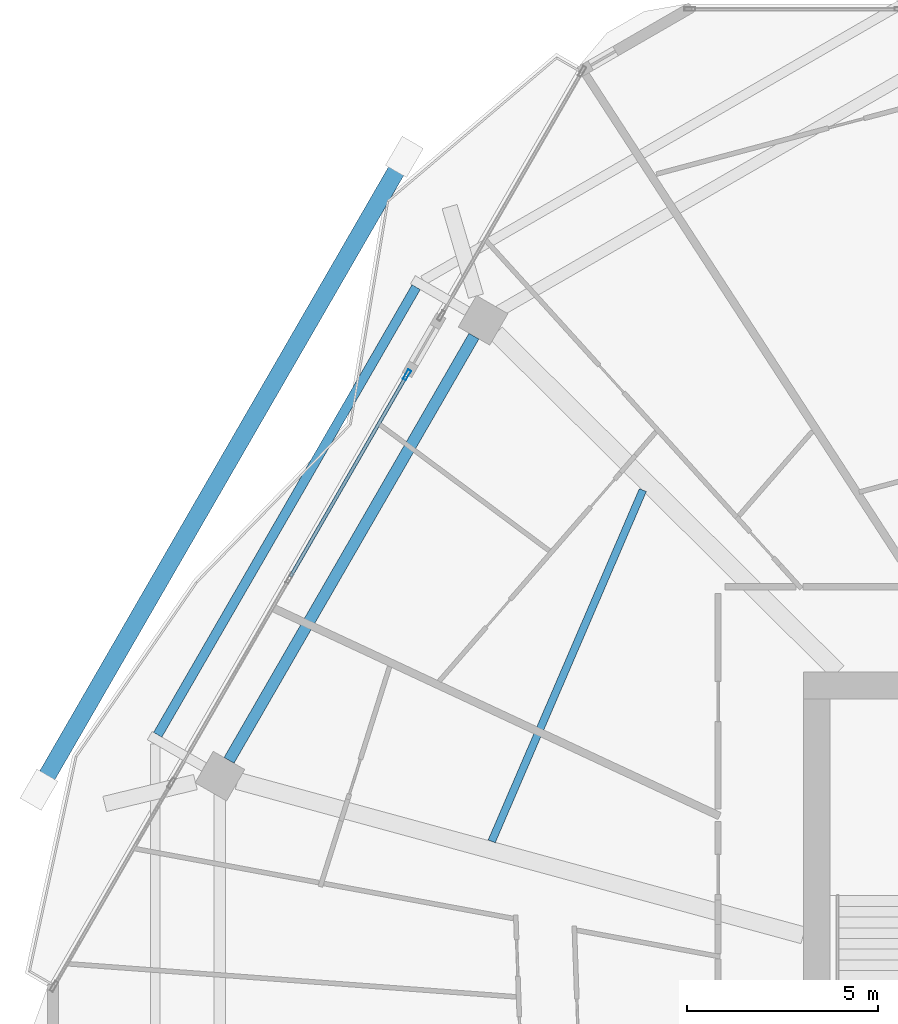
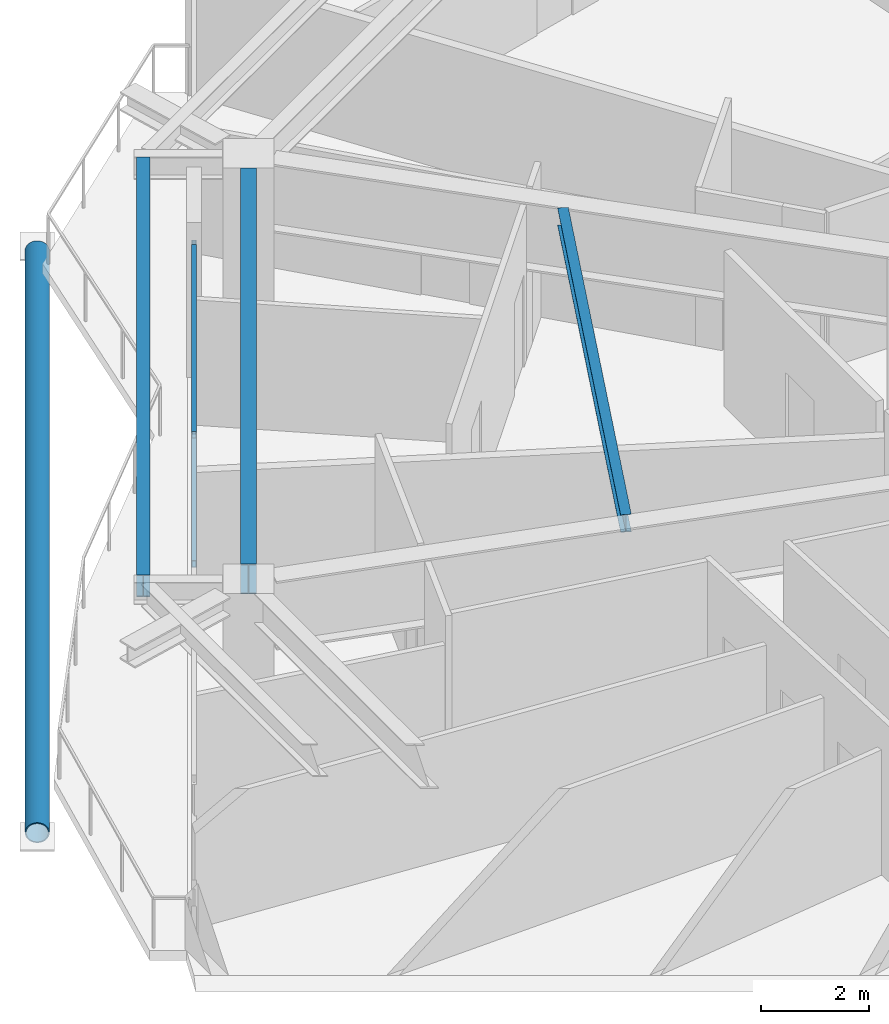
# One storey, part 13 of 28: 4 members, 3 beams, 1 element without a shape of its own.
"""IFC4 building model written with IfcOpenShell, lengths in metres."""

from ifc_helpers import new_model, si_unit, direction, frame, origin, origin_2d, place, context, subcontext, project, spatial, hollow_rectangle, hollow_circle, i_section, extrude, material, material_profile, profile_set, type_object, element, aggregate, save


model = new_model("IFC4")

# Units and contexts
model_context = context("Model", 3, precision=1e-05, world=origin(), true_north=direction((0.0, 1.0)))
body_context = subcontext(model_context, "Body", "Model", "MODEL_VIEW")
ifc_project = project(units=[si_unit("LENGTHUNIT", "METRE"), si_unit("AREAUNIT", "SQUARE_METRE"), si_unit("VOLUMEUNIT", "CUBIC_METRE"), si_unit("PLANEANGLEUNIT", "RADIAN"), si_unit("MASSUNIT", "GRAM", prefix="KILO")], contexts=[model_context])

# Site, building, storey
site_placement = place(None, origin())
site = spatial("IfcSite", under=ifc_project, at=site_placement, CompositionType="ELEMENT")
building_placement = place(site_placement, origin())
building = spatial("IfcBuilding", under=site, at=building_placement, Name="Zuhravey Tower", CompositionType="ELEMENT")
storey_placement = place(building_placement, frame((0.0, 0.0, 222.60009765625)))
storey = spatial("IfcBuildingStorey", under=building, at=storey_placement, Name="L56", CompositionType="ELEMENT", Elevation=222.60009765625)

# Curtain wall, members
ifc_material_1 = material(Name="Thermally broken anodised aluminium", Category="aluminium")
curtain_wall_type = type_object("IfcCurtainWallType", Name="Zone 1-2 Residential Curtain Wall CW3", PredefinedType="NOTDEFINED", material=ifc_material_1)
curtain_wall_placement = place(storey_placement, origin())
curtain_wall = element("IfcCurtainWall", 1, at=curtain_wall_placement, inside=storey, type_object=curtain_wall_type, Name="L56 CW3 CW-L56-F3-1", PredefinedType="NOTDEFINED")
ifc_material_2 = material(Name="Anodised aluminium", Category="aluminium")
ifc_material_profile_1 = material_profile(ifc_material_2, hollow_rectangle(XDim=0.090087890625, YDim=0.284912109375, WallThickness=0.0048828125, at=origin_2d()), Name="ALU-RHS-90x285x5")
ifc_profile_set_1 = profile_set([ifc_material_profile_1], Name="Anodised aluminium")
member_type_1 = type_object("IfcMemberType", Name="Curtain-Wall Mullion 90x180", PredefinedType="MULLION", material=ifc_profile_set_1)
member_1_placement = place(storey_placement, frame((14.784912109375, 49.620361328125, 0.0), z_axis=(0.0, 0.0, 1.0), x_axis=(-0.866025772241, 0.499999361815, 0.0)))
member_1 = element("IfcMember", 2, at=member_1_placement, type_object=member_type_1, Name="CW3 mullion 4", PredefinedType="MULLION", context=body_context, shape_type="SweptSolid", body=[
    extrude(hollow_rectangle(XDim=0.090087890625, YDim=0.284912109375, WallThickness=0.0048828125, at=origin_2d()), origin(), (0.0, 0.0, 1.0), 3.02001953125),
])
ifc_material_profile_2 = material_profile(ifc_material_2, hollow_rectangle(XDim=0.090087890625, YDim=0.14990234375, WallThickness=0.0048828125, at=origin_2d()), Name="ALU-RHS-90x150x5")
ifc_profile_set_2 = profile_set([ifc_material_profile_2], Name="Anodised aluminium")
member_type_2 = type_object("IfcMemberType", Name="Curtain-Wall Transom 90x150", PredefinedType="USERDEFINED", material=ifc_profile_set_2)
member_2_placement = place(storey_placement, frame((11.73681640625, 44.341064453125, 0.044921875), z_axis=(0.499975079872, 0.866039790949, 0.0), x_axis=(-0.866039790949, 0.499975079872, 0.0)))
member_2 = element("IfcMember", 3, at=member_2_placement, type_object=member_type_2, Name="CW3 transom 3.1", ObjectType="TRANSOM", PredefinedType="USERDEFINED", context=body_context, shape_type="SweptSolid", body=[
    extrude(hollow_rectangle(XDim=0.090087890625, YDim=0.14990234375, WallThickness=0.0048828125, at=origin_2d()), origin(), (0.0, 0.0, 1.0), 6.051025390625),
])
member_3_placement = place(storey_placement, frame((11.73681640625, 44.341064453125, 2.974853515625), z_axis=(0.499975079872, 0.866039790949, 0.0), x_axis=(-0.866039790949, 0.499975079872, 0.0)))
member_3 = element("IfcMember", 4, at=member_3_placement, type_object=member_type_2, Name="CW3 transom 3.2", ObjectType="TRANSOM", PredefinedType="USERDEFINED", context=body_context, shape_type="SweptSolid", body=[
    extrude(hollow_rectangle(XDim=0.090087890625, YDim=0.14990234375, WallThickness=0.0048828125, at=origin_2d()), origin(), (0.0, 0.0, 1.0), 6.051025390625),
])
aggregate(curtain_wall, [member_1, member_2, member_3])

# Member
ifc_material_3 = material(Name="Steel SM355", Category="steel")
ifc_material_profile_3 = material_profile(ifc_material_3, hollow_circle(Radius=0.228515625, WallThickness=0.02197265625, at=origin_2d()), Name="CHS-457.2x22")
ifc_profile_set_3 = profile_set([ifc_material_profile_3], Name="Steel SM355")
member_type_3 = type_object("IfcMemberType", Name="Exoskeleton Ring Tie CHS457x22", PredefinedType="CHORD", material=ifc_profile_set_3)
member_4_placement = place(storey_placement, frame((14.64599609375, 55.2001953125, -0.464111328125), z_axis=(-0.499989194203, -0.866031642424, 0.0), x_axis=(0.866031642424, -0.499989194203, 0.0)))
element("IfcMember", 5, at=member_4_placement, inside=storey, type_object=member_type_3, Name="L56 Exoskeleton Face 3 Tie EXR1", PredefinedType="CHORD", context=body_context, shape_type="SweptSolid", body=[
    extrude(hollow_circle(Radius=0.228515625, WallThickness=0.02197265625, at=origin_2d()), origin(), (0.0, 0.0, 1.0), 18.830078125),
])

# Beams
ifc_material_profile_4 = material_profile(ifc_material_3, i_section(OverallWidth=0.300048828125, OverallDepth=0.679931640625, WebThickness=0.012939453125, FlangeThickness=0.02197265625, at=origin_2d()), Name="H-680x300x13x22")
ifc_profile_set_4 = profile_set([ifc_material_profile_4], Name="Steel SM355")
beam_type_1 = type_object("IfcBeamType", Name="Perimeter Ring Beam H680x300", PredefinedType="BEAM", material=ifc_profile_set_4)
beam_1_placement = place(storey_placement, frame((16.535400390625, 50.632568359375, 3.179931640625), z_axis=(-0.500003505699, -0.866023379758, 0.0), x_axis=(0.866023379758, -0.500003505699, 0.0)))
element("IfcBeam", 6, at=beam_1_placement, inside=storey, type_object=beam_type_1, Name="L56 PB2 BM-L56-PB-05", PredefinedType="BEAM", context=body_context, shape_type="SweptSolid", body=[
    extrude(i_section(OverallWidth=0.300048828125, OverallDepth=0.679931640625, WebThickness=0.012939453125, FlangeThickness=0.02197265625, at=origin_2d()), origin(), (0.0, 0.0, 1.0), 12.80810546875),
])
ifc_material_profile_5 = material_profile(ifc_material_3, i_section(OverallWidth=0.199951171875, OverallDepth=0.39990234375, WebThickness=0.008056640625, FlangeThickness=0.012939453125, at=origin_2d()), Name="H-400x200x8x13")
ifc_profile_set_5 = profile_set([ifc_material_profile_5], Name="Steel SM355")
beam_type_2 = type_object("IfcBeamType", Name="Secondary Floor Joist H400x200", PredefinedType="JOIST", material=ifc_profile_set_5)
beam_2_placement = place(storey_placement, frame((20.952880859375, 46.607177734375, 3.31982421875), z_axis=(-0.395280133631, -0.918560621819, 0.0), x_axis=(0.918560621819, -0.395280133631, 0.0)))
element("IfcBeam", 7, at=beam_2_placement, inside=storey, type_object=beam_type_2, Name="L56 SJ2 BM-L56-SJ-05-1", PredefinedType="JOIST", context=body_context, shape_type="SweptSolid", body=[
    extrude(i_section(OverallWidth=0.199951171875, OverallDepth=0.39990234375, WebThickness=0.008056640625, FlangeThickness=0.012939453125, at=origin_2d()), origin(), (0.0, 0.0, 1.0), 10.000244140625),
])
ifc_material_profile_6 = material_profile(ifc_material_3, i_section(OverallWidth=0.25, OverallDepth=0.5, WebThickness=0.010009765625, FlangeThickness=0.01611328125, at=origin_2d()), Name="H-500x250x10x16")
ifc_profile_set_6 = profile_set([ifc_material_profile_6], Name="Steel SM355")
beam_type_3 = type_object("IfcBeamType", Name="Tray Cantilever Spandrel H500x250", PredefinedType="SPANDREL", material=ifc_profile_set_6)
beam_3_placement = place(storey_placement, frame((15.0244140625, 51.9150390625, 3.27001953125), z_axis=(-0.500012189059, -0.866018366314, 0.0), x_axis=(0.866018366314, -0.500012189059, 0.0)))
element("IfcBeam", 8, at=beam_3_placement, inside=storey, type_object=beam_type_3, Name="L56 Sky-Tray Edge Spandrel TSB1-05", PredefinedType="SPANDREL", context=body_context, shape_type="SweptSolid", body=[
    extrude(i_section(OverallWidth=0.25, OverallDepth=0.5, WebThickness=0.010009765625, FlangeThickness=0.01611328125, at=origin_2d()), origin(), (0.0, 0.0, 1.0), 13.518310546875),
])

save(model, "model.ifc")
